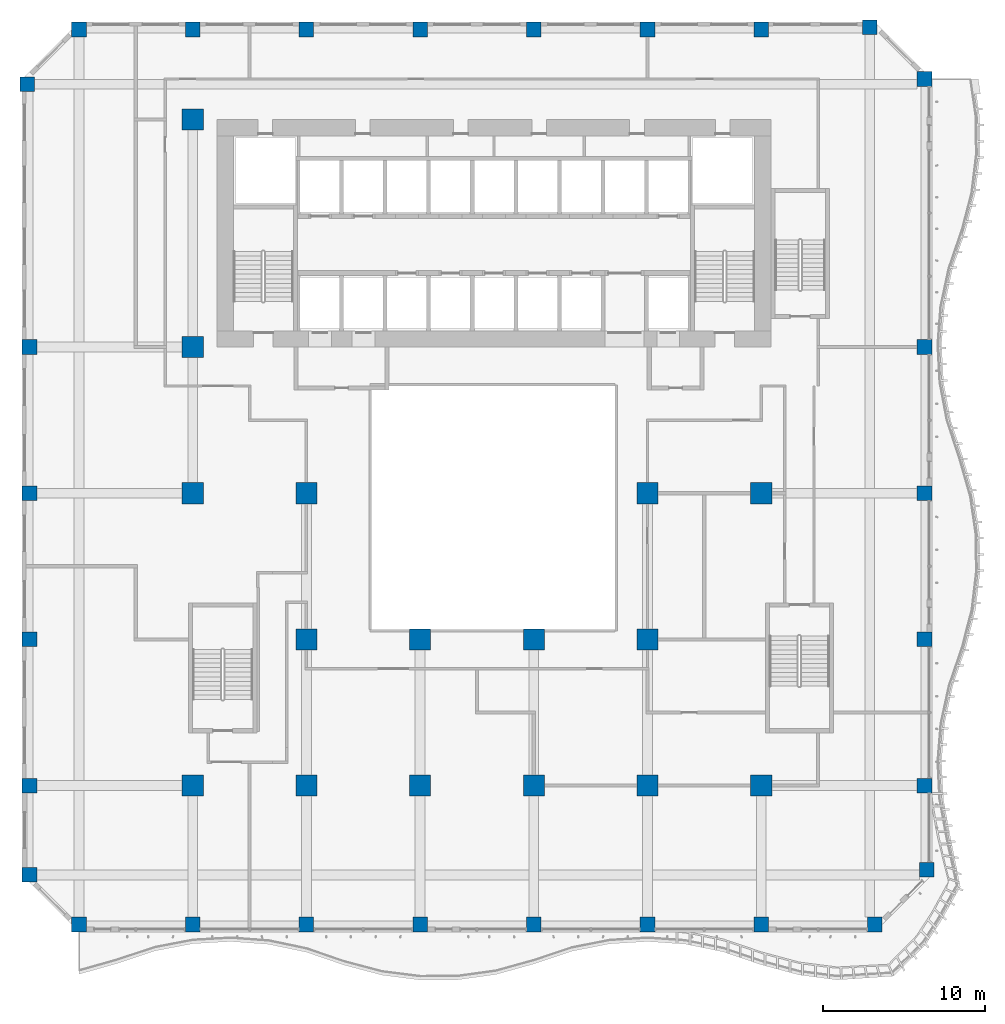
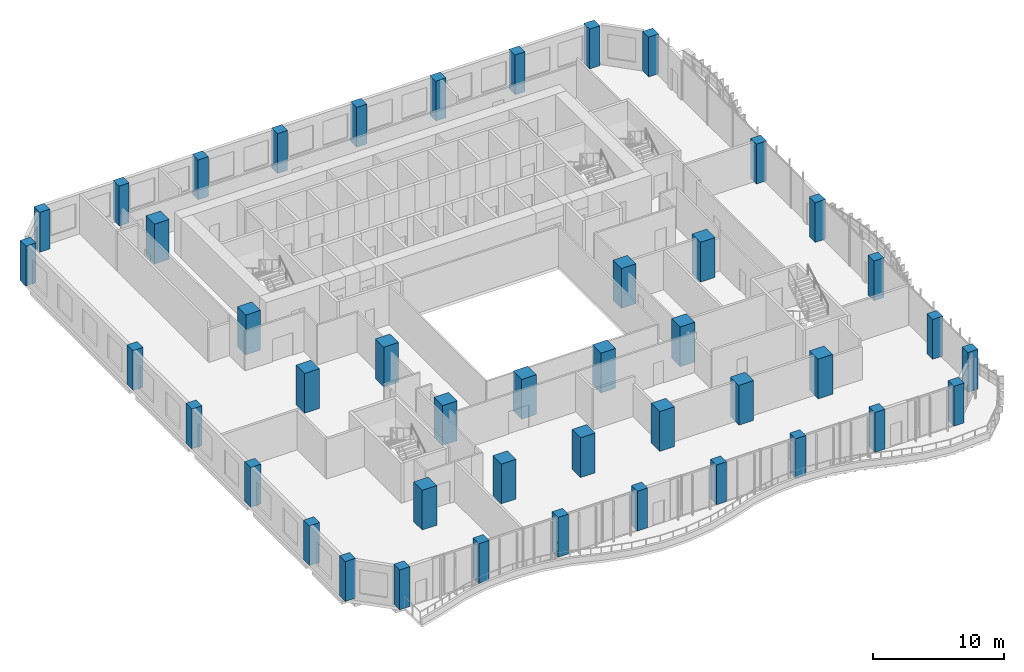
# One storey, part 1 of 26: 44 columns.
"""IFC4 building model written with IfcOpenShell, lengths in metres."""

from ifc_helpers import new_model, si_unit, direction, frame, origin, origin_2d, place, context, subcontext, project, spatial, rectangle, extrude, source, transform, mapped, material, material_profile, profile_set, type_object, element, save


model = new_model("IFC4")

# Units and contexts
model_context = context("Model", 3, precision=1e-05, world=origin(), true_north=direction((0.0, 1.0)))
body_context = subcontext(model_context, "Body", "Model", "MODEL_VIEW")
ifc_project = project(units=[si_unit("LENGTHUNIT", "METRE"), si_unit("AREAUNIT", "SQUARE_METRE"), si_unit("VOLUMEUNIT", "CUBIC_METRE"), si_unit("PLANEANGLEUNIT", "RADIAN"), si_unit("MASSUNIT", "GRAM", prefix="KILO")], contexts=[model_context])

# Site, building, storey
site_placement = place(None, origin())
site = spatial("IfcSite", under=ifc_project, at=site_placement, CompositionType="ELEMENT")
building_placement = place(site_placement, origin())
building = spatial("IfcBuilding", under=site, at=building_placement, Name="Kilnfold Tower and Market Hall", CompositionType="ELEMENT")
storey_placement = place(building_placement, frame((0.0, 0.0, 31.0)))
storey = spatial("IfcBuildingStorey", under=building, at=storey_placement, Name="L06", CompositionType="ELEMENT", Elevation=31.0)

# Columns
ifc_material_1 = material(Name="Concrete C80", Category="concrete")
ifc_material_profile_1 = material_profile(ifc_material_1, rectangle(XDim=0.89990234375, YDim=0.89990234375, at=origin_2d()), Name="RC 900x900")
ifc_profile_set_1 = profile_set([ifc_material_profile_1], Name="Concrete C80")
column_type_1 = type_object("IfcColumnType", Name="COLUMN 900X900 C80", PredefinedType="COLUMN", material=ifc_profile_set_1)
shared_shape_1 = source(origin(), body_context, "Body", "SweptSolid", [
    extrude(rectangle(XDim=0.89990234375, YDim=0.89990234375, at=origin_2d()), origin(), (0.0, 0.0, 1.0), 3.719970703125),
])
for number, where, z_axis, x_axis, name in (
    (1, (-27.681884765625, 24.181884765625, 0.0), (0.0, 0.0, 1.0), (1.0, 0.0, 0.0), "Column C-B1-1H"),
    (2, (-27.550048828125, -24.5, 0.0), (0.0, 0.0, 1.0), (1.0, 0.0, 0.0), "Column C-B1-1B"),
    (3, (-27.550048828125, -19.0, 0.0), (0.0, 0.0, 1.0), (1.0, 0.0, 0.0), "Column C-B1-1C"),
    (4, (-27.550048828125, -10.0, 0.0), (0.0, 0.0, 1.0), (1.0, 0.0, 0.0), "Column C-B1-1D"),
    (5, (-27.550048828125, -1.0, 0.0), (0.0, 0.0, 1.0), (1.0, 0.0, 0.0), "Column C-B1-1E"),
    (6, (-27.550048828125, 8.0, 0.0), (0.0, 0.0, 1.0), (1.0, 0.0, 0.0), "Column C-B1-1F"),
    (7, (-24.5, -27.550048828125, 0.0), (0.0, 0.0, 1.0), (1.0, 0.0, 0.0), "Column C-B1-2A"),
    (8, (-24.5, 27.550048828125, 0.0), (0.0, 0.0, 1.0), (1.0, 0.0, 0.0), "Column C-B1-2I"),
    (9, (-17.5, -27.550048828125, 0.0), (0.0, 0.0, 1.0), (1.0, 0.0, 0.0), "Column C-B1-3A"),
    (10, (-17.5, 27.550048828125, 0.0), (0.0, 0.0, 1.0), (1.0, 0.0, 0.0), "Column C-B1-3I"),
    (11, (-10.5, -27.550048828125, 0.0), (0.0, 0.0, 1.0), (1.0, 0.0, 0.0), "Column C-B1-4A"),
    (12, (-10.5, 27.550048828125, 0.0), (0.0, 0.0, 1.0), (1.0, 0.0, 0.0), "Column C-B1-4I"),
    (13, (-3.5, -27.550048828125, 0.0), (0.0, 0.0, 1.0), (1.0, 0.0, 0.0), "Column C-B1-5A"),
    (14, (-3.5, 27.550048828125, 0.0), (0.0, 0.0, 1.0), (1.0, 0.0, 0.0), "Column C-B1-5I"),
    (15, (3.5, -27.550048828125, 0.0), (0.0, 0.0, 1.0), (1.0, 0.0, 0.0), "Column C-B1-6A"),
    (16, (3.5, 27.550048828125, 0.0), (0.0, 0.0, 1.0), (1.0, 0.0, 0.0), "Column C-B1-6I"),
    (17, (10.5, -27.550048828125, 0.0), (0.0, 0.0, 1.0), (1.0, 0.0, 0.0), "Column C-B1-7A"),
    (18, (10.5, 27.550048828125, 0.0), (0.0, 0.0, 1.0), (1.0, 0.0, 0.0), "Column C-B1-7I"),
    (19, (17.5, -27.550048828125, 0.0), (0.0, 0.0, 1.0), (1.0, 0.0, 0.0), "Column C-B1-8A"),
    (20, (17.5, 27.550048828125, 0.0), (0.0, 0.0, 1.0), (1.0, 0.0, 0.0), "Column C-B1-8I"),
    (21, (24.181884765625, 27.681884765625, 0.0), (0.0, 0.0, 1.0), (1.0, 0.0, 0.0), "Column C-B1-9I"),
    (22, (24.5, -27.550048828125, 0.0), (0.0, 0.0, 1.0), (1.0, 0.0, 0.0), "Column C-B1-9A"),
    (23, (27.550048828125, -19.0, 0.0), (0.0, 0.0, 1.0), (1.0, 0.0, 0.0), "Column C-B1-10C"),
    (24, (27.550048828125, -10.0, 0.0), (0.0, 0.0, 1.0), (1.0, 0.0, 0.0), "Column C-B1-10D"),
    (25, (27.550048828125, -1.0, 0.0), (0.0, 0.0, 1.0), (1.0, 0.0, 0.0), "Column C-B1-10E"),
    (26, (27.550048828125, 8.0, 0.0), (0.0, 0.0, 1.0), (1.0, 0.0, 0.0), "Column C-B1-10F"),
    (27, (27.550048828125, 24.5, 0.0), (0.0, 0.0, 1.0), (1.0, 0.0, 0.0), "Column C-B1-10H"),
    (28, (27.681884765625, -24.181884765625, 0.0), (0.0, 0.0, 1.0), (1.0, 0.0, 0.0), "Column C-B1-10B"),
):
    element("IfcColumn", number, at=place(storey_placement, frame(where, z_axis=z_axis, x_axis=x_axis)), inside=storey, type_object=column_type_1, Name=name, PredefinedType="COLUMN", context=body_context, shape_type="MappedRepresentation", body=[
        mapped(shared_shape_1, transform((0.0, 0.0, 0.0))),
    ])
ifc_material_2 = material(Name="Concrete C80", Category="concrete")
ifc_material_profile_2 = material_profile(ifc_material_2, rectangle(XDim=1.300048828125, YDim=1.300048828125, at=origin_2d()), Name="RC 1300x1300")
ifc_profile_set_2 = profile_set([ifc_material_profile_2], Name="Concrete C80")
column_type_2 = type_object("IfcColumnType", Name="COLUMN 1300X1300 C80", PredefinedType="COLUMN", material=ifc_profile_set_2)
shared_shape_2 = source(origin(), body_context, "Body", "SweptSolid", [
    extrude(rectangle(XDim=1.300048828125, YDim=1.300048828125, at=origin_2d()), origin(), (0.0, 0.0, 1.0), 3.719970703125),
])
for number, where, z_axis, x_axis, name in (
    (29, (-17.5, -19.0, 0.0), (0.0, 0.0, 1.0), (1.0, 0.0, 0.0), "Column C-B1-3C"),
    (30, (-17.5, -1.0, 0.0), (0.0, 0.0, 1.0), (1.0, 0.0, 0.0), "Column C-B1-3E"),
    (31, (-17.5, 8.0, 0.0), (0.0, 0.0, 1.0), (1.0, 0.0, 0.0), "Column C-B1-3F"),
    (32, (-17.5, 22.0, 0.0), (0.0, 0.0, 1.0), (1.0, 0.0, 0.0), "Column C-B1-3G"),
    (33, (-10.5, -19.0, 0.0), (0.0, 0.0, 1.0), (1.0, 0.0, 0.0), "Column C-B1-4C"),
    (34, (-10.5, -10.0, 0.0), (0.0, 0.0, 1.0), (1.0, 0.0, 0.0), "Column C-B1-4D"),
    (35, (-10.5, -1.0, 0.0), (0.0, 0.0, 1.0), (1.0, 0.0, 0.0), "Column C-B1-4E"),
    (36, (-3.5, -19.0, 0.0), (0.0, 0.0, 1.0), (1.0, 0.0, 0.0), "Column C-B1-5C"),
    (37, (-3.5, -10.0, 0.0), (0.0, 0.0, 1.0), (1.0, 0.0, 0.0), "Column C-B1-5D"),
    (38, (3.5, -19.0, 0.0), (0.0, 0.0, 1.0), (1.0, 0.0, 0.0), "Column C-B1-6C"),
    (39, (3.5, -10.0, 0.0), (0.0, 0.0, 1.0), (1.0, 0.0, 0.0), "Column C-B1-6D"),
    (40, (10.5, -19.0, 0.0), (0.0, 0.0, 1.0), (1.0, 0.0, 0.0), "Column C-B1-7C"),
    (41, (10.5, -10.0, 0.0), (0.0, 0.0, 1.0), (1.0, 0.0, 0.0), "Column C-B1-7D"),
    (42, (10.5, -1.0, 0.0), (0.0, 0.0, 1.0), (1.0, 0.0, 0.0), "Column C-B1-7E"),
    (43, (17.5, -19.0, 0.0), (0.0, 0.0, 1.0), (1.0, 0.0, 0.0), "Column C-B1-8C"),
    (44, (17.5, -1.0, 0.0), (0.0, 0.0, 1.0), (1.0, 0.0, 0.0), "Column C-B1-8E"),
):
    element("IfcColumn", number, at=place(storey_placement, frame(where, z_axis=z_axis, x_axis=x_axis)), inside=storey, type_object=column_type_2, Name=name, PredefinedType="COLUMN", context=body_context, shape_type="MappedRepresentation", body=[
        mapped(shared_shape_2, transform((0.0, 0.0, 0.0))),
    ])

save(model, "model.ifc")
